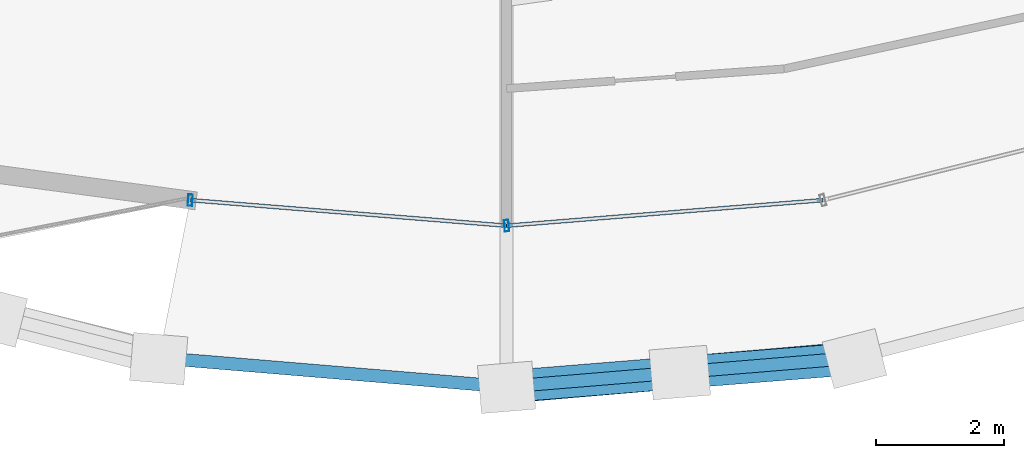
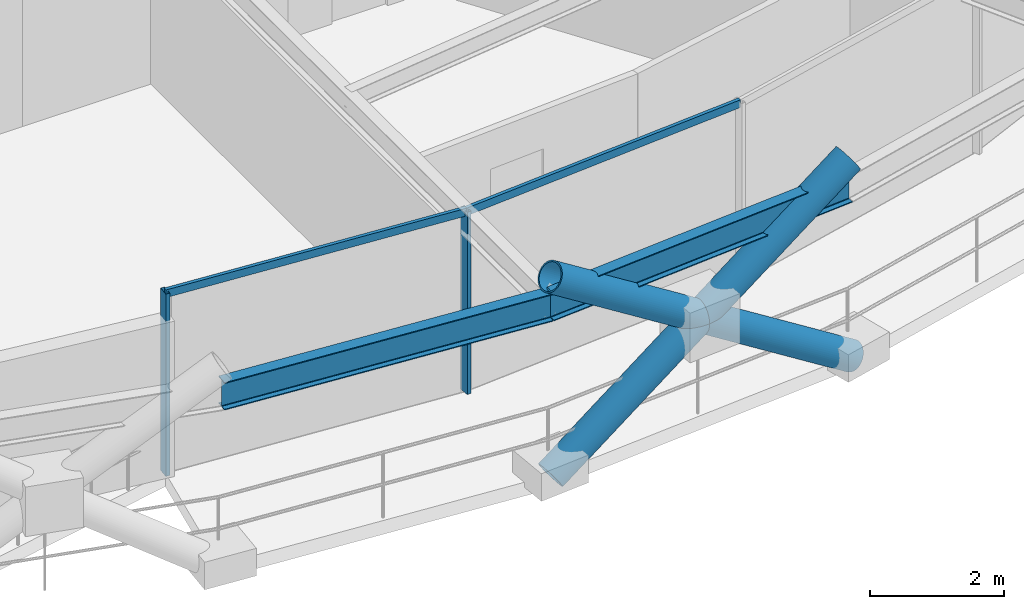
# One storey, part 2 of 17: 7 members, 2 beams, 1 element without a shape of its own.
"""IFC4 building model written with IfcOpenShell, lengths in metres."""

from ifc_helpers import new_model, si_unit, direction, frame, origin, origin_2d, place, context, subcontext, project, spatial, hollow_rectangle, hollow_circle, i_section, extrude, material, layer, layer_set, material_profile, profile_set, type_object, element, aggregate, save


model = new_model("IFC4")

# Units and contexts
model_context = context("Model", 3, precision=1e-05, world=origin(), true_north=direction((0.0, 1.0)))
body_context = subcontext(model_context, "Body", "Model", "MODEL_VIEW")
ifc_project = project(units=[si_unit("LENGTHUNIT", "METRE"), si_unit("AREAUNIT", "SQUARE_METRE"), si_unit("VOLUMEUNIT", "CUBIC_METRE"), si_unit("PLANEANGLEUNIT", "RADIAN"), si_unit("MASSUNIT", "GRAM", prefix="KILO")], contexts=[model_context])

# Site, building, storey
site_placement = place(None, origin())
site = spatial("IfcSite", under=ifc_project, at=site_placement, CompositionType="ELEMENT")
building_placement = place(site_placement, origin())
building = spatial("IfcBuilding", under=site, at=building_placement, Name="Veldorina Hangang Commons", CompositionType="ELEMENT")
storey_placement = place(building_placement, frame((0.0, 0.0, 178.39990234375)))
storey = spatial("IfcBuildingStorey", under=building, at=storey_placement, Name="L46", CompositionType="ELEMENT", Elevation=178.39990234375)

# Beams
ifc_material_1 = material(Name="Steel SM420-TMC", Category="steel")
ifc_material_profile_1 = material_profile(ifc_material_1, i_section(OverallWidth=0.199951171875, OverallDepth=0.5, WebThickness=0.010009765625, FlangeThickness=0.01611328125, FilletRadius=0.01611328125, at=origin_2d()), Name="H-500x200x10x16")
ifc_profile_set_1 = profile_set([ifc_material_profile_1], Name="Steel SM420-TMC")
beam_type = type_object("IfcBeamType", Name="BM-RB500", PredefinedType="BEAM", material=ifc_profile_set_1)
for number, where, z_axis, x_axis, name in (
    (1, (26.614013671875, 1.169921875, 3.10009765625), (0.996565978673, -0.082802476719, 0.0), (0.082802476719, 0.996565978673, 0.0), "L46 perimeter hoop ring beam 23"),
    (2, (32.0, 0.722412109375, 3.10009765625), (0.996565978673, 0.082802476719, 0.0), (-0.082802476719, 0.996565978673, 0.0), "L46 perimeter hoop ring beam 24"),
):
    element("IfcBeam", number, at=place(storey_placement, frame(where, z_axis=z_axis, x_axis=x_axis)), inside=storey, type_object=beam_type, Name=name, PredefinedType="BEAM", context=body_context, shape_type="SweptSolid", body=[
        extrude(i_section(OverallWidth=0.199951171875, OverallDepth=0.5, WebThickness=0.010009765625, FlangeThickness=0.01611328125, FilletRadius=0.01611328125, at=origin_2d()), origin(), (0.0, 0.0, 1.0), 5.404541015625),
    ])

# Curtain wall, members
ifc_material_2 = material(Name="Glass Low-E Triple IGU", Category="glass")
ifc_layer = layer(ifc_material_2, 0.179931640625)
ifc_layer_set = layer_set([ifc_layer], Name="Glass Low-E Triple IGU")
curtain_wall_type = type_object("IfcCurtainWallType", Name="CW-SYS-Z2", PredefinedType="NOTDEFINED", material=ifc_layer_set)
curtain_wall_placement = place(storey_placement, origin())
curtain_wall = element("IfcCurtainWall", 3, at=curtain_wall_placement, inside=storey, type_object=curtain_wall_type, Name="L46 unitised curtain wall CW-L46-R1", PredefinedType="NOTDEFINED")
ifc_material_3 = material(Name="Aluminium Anodized AA6063-T6", Category="aluminium")
ifc_material_profile_2 = material_profile(ifc_material_3, hollow_rectangle(XDim=0.070068359375, YDim=0.179931640625, WallThickness=0.00390625, at=origin_2d()), Name="ALU-RHS-180x70x4")
ifc_profile_set_2 = profile_set([ifc_material_profile_2], Name="Aluminium Anodized AA6063-T6")
member_type_1 = type_object("IfcMemberType", Name="CW-MUL-180", PredefinedType="MULLION", material=ifc_profile_set_2)
member_1_placement = place(storey_placement, frame((27.068115234375, 3.631103515625, 0.0), z_axis=(0.0, 0.0, 1.0), x_axis=(0.996743790189, -0.080633843514, 0.0)))
member_1 = element("IfcMember", 4, at=member_1_placement, type_object=member_type_1, Name="CW-L46-R1 vertical mullion 1", PredefinedType="MULLION", context=body_context, shape_type="SweptSolid", body=[
    extrude(hollow_rectangle(XDim=0.070068359375, YDim=0.179931640625, WallThickness=0.00390625, at=origin_2d()), origin(), (0.0, 0.0, 1.0), 3.31005859375),
])
member_2_placement = place(storey_placement, frame((32.0, 3.232177734375, 0.0), z_axis=(0.0, 0.0, 1.0), x_axis=(0.996743790189, 0.080633843514, 0.0)))
member_2 = element("IfcMember", 5, at=member_2_placement, type_object=member_type_1, Name="CW-L46-R1 vertical mullion 2", PredefinedType="MULLION", context=body_context, shape_type="SweptSolid", body=[
    extrude(hollow_rectangle(XDim=0.070068359375, YDim=0.179931640625, WallThickness=0.00390625, at=origin_2d()), origin(), (0.0, 0.0, 1.0), 3.31005859375),
])
ifc_material_profile_3 = material_profile(ifc_material_3, hollow_rectangle(XDim=0.06005859375, YDim=0.139892578125, WallThickness=0.00341796875, at=origin_2d()), Name="ALU-RHS-140x60x3.5")
ifc_profile_set_3 = profile_set([ifc_material_profile_3], Name="Aluminium Anodized AA6063-T6")
member_type_2 = type_object("IfcMemberType", Name="CW-TRN-140", PredefinedType="USERDEFINED", material=ifc_profile_set_3)
member_3_placement = place(storey_placement, frame((27.068115234375, 3.631103515625, 3.27001953125), z_axis=(0.996744605428, -0.080623765421, 0.0), x_axis=(0.080623765421, 0.996744605428, 0.0)))
member_3 = element("IfcMember", 6, at=member_3_placement, type_object=member_type_2, Name="CW-L46-R1 facet 1 transom 1", ObjectType="TRANSOM", PredefinedType="USERDEFINED", context=body_context, shape_type="SweptSolid", body=[
    extrude(hollow_rectangle(XDim=0.06005859375, YDim=0.139892578125, WallThickness=0.00341796875, at=origin_2d()), origin(), (0.0, 0.0, 1.0), 4.947998046875),
])
member_4_placement = place(storey_placement, frame((32.0, 3.232177734375, 3.27001953125), z_axis=(0.996744605428, 0.080623765421, 0.0), x_axis=(-0.080623765421, 0.996744605428, 0.0)))
member_4 = element("IfcMember", 7, at=member_4_placement, type_object=member_type_2, Name="CW-L46-R1 facet 2 transom 1", ObjectType="TRANSOM", PredefinedType="USERDEFINED", context=body_context, shape_type="SweptSolid", body=[
    extrude(hollow_rectangle(XDim=0.06005859375, YDim=0.139892578125, WallThickness=0.00341796875, at=origin_2d()), origin(), (0.0, 0.0, 1.0), 4.947998046875),
])
aggregate(curtain_wall, [member_1, member_2, member_3, member_4])

# Members
ifc_material_profile_4 = material_profile(ifc_material_1, hollow_circle(Radius=0.25, WallThickness=0.02490234375, at=origin_2d()), Name="CHS-500x25")
ifc_profile_set_4 = profile_set([ifc_material_profile_4], Name="Steel SM420-TMC")
member_type_3 = type_object("IfcMemberType", Name="DG-CHS500", PredefinedType="BRACE", material=ifc_profile_set_4)
member_5_placement = place(storey_placement, frame((32.0, 0.712158203125, 0.0), z_axis=(0.82900240349, 0.070763910009, 0.554749929291), x_axis=(-0.085051024646, 0.996376597079, 0.0)))
element("IfcMember", 8, at=member_5_placement, inside=storey, type_object=member_type_3, Name="L46 continuous perimeter diagrid brace 24", PredefinedType="BRACE", context=body_context, shape_type="SweptSolid", body=[
    extrude(hollow_circle(Radius=0.25, WallThickness=0.02490234375, at=origin_2d()), origin(), (0.0, 0.0, 1.0), 6.489501953125),
])
member_6_placement = place(storey_placement, frame((37.42333984375, 1.15966796875, 0.0), z_axis=(-0.831309140132, -0.066269173743, 0.551845549175), x_axis=(0.079464554195, -0.996837692218, 0.0)))
element("IfcMember", 9, at=member_6_placement, inside=storey, type_object=member_type_3, Name="L46 split perimeter diagrid lower brace 25", PredefinedType="BRACE", context=body_context, shape_type="SweptSolid", body=[
    extrude(hollow_circle(Radius=0.25, WallThickness=0.02490234375, at=origin_2d()), origin(), (0.0, 0.0, 1.0), 3.275146484375),
])
member_7_placement = place(storey_placement, frame((34.70068359375, 0.942626953125, 1.807373046875), z_axis=(-0.831263004139, -0.067255504312, 0.551795718622), x_axis=(0.080644092399, -0.996742961029, 0.0)))
element("IfcMember", 10, at=member_7_placement, inside=storey, type_object=member_type_3, Name="L46 split perimeter diagrid upper brace 25", PredefinedType="BRACE", context=body_context, shape_type="SweptSolid", body=[
    extrude(hollow_circle(Radius=0.25, WallThickness=0.02490234375, at=origin_2d()), origin(), (0.0, 0.0, 1.0), 3.248779296875),
])

save(model, "model.ifc")
